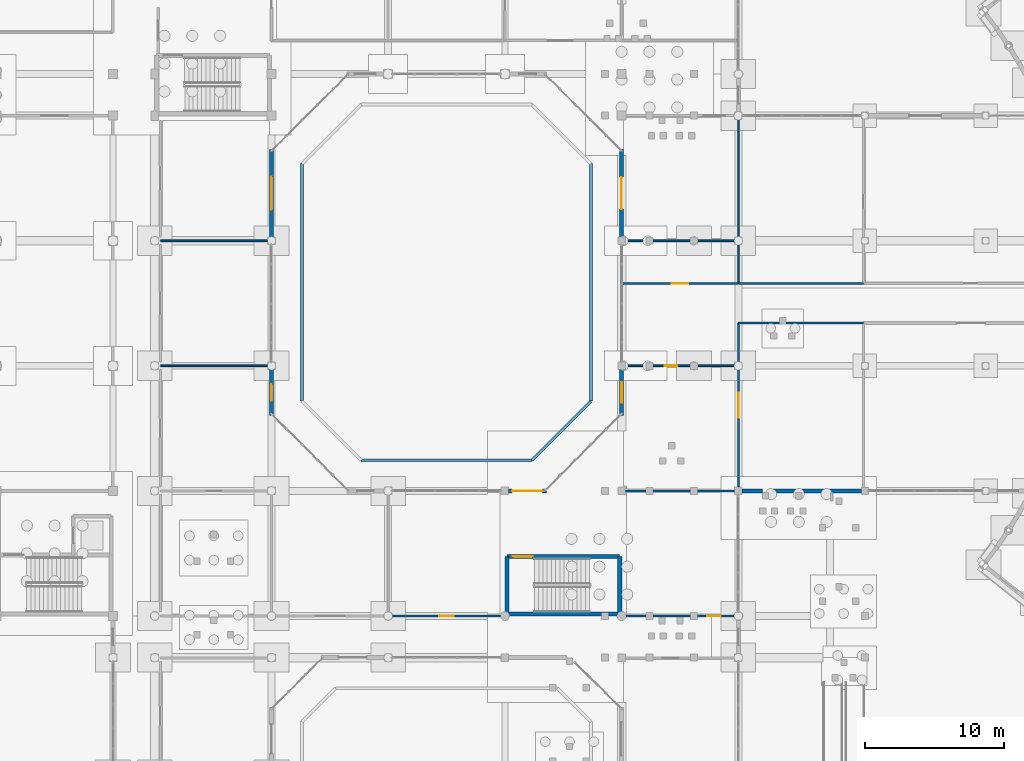
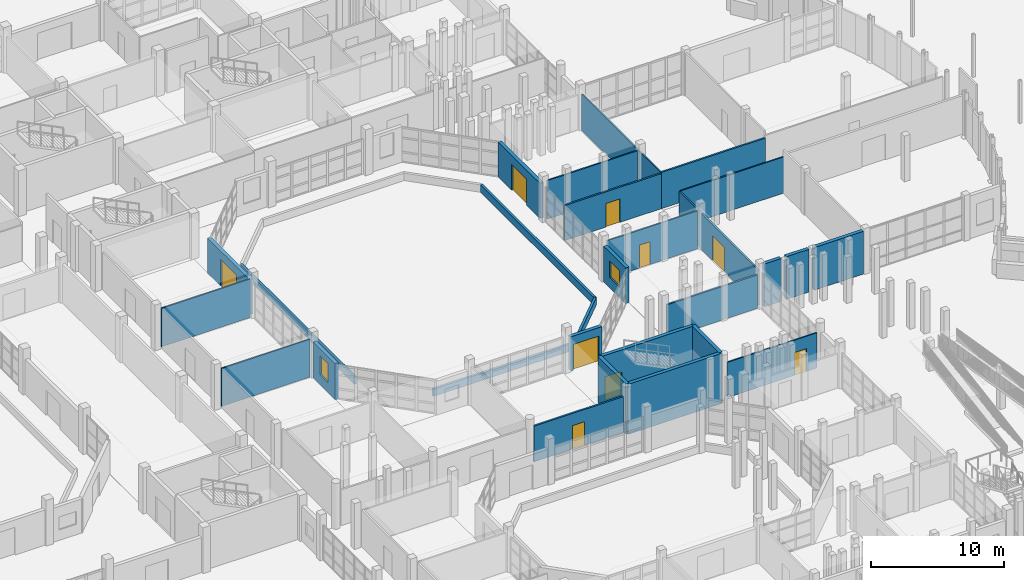
# One storey, part 60 of 88: 28 walls, 9 doors, 2 windows, 11 openings.
"""IFC4 building model written with IfcOpenShell, lengths in metres."""

from ifc_helpers import new_model, si_unit, direction, frame, frame_2d, origin, place, context, subcontext, project, spatial, rectangle, extrude, material, layer, layer_set, type_object, element, fill, save


model = new_model("IFC4")

# Units and contexts
model_context = context("Model", 3, precision=1e-05, world=origin(), true_north=direction((0.0, 1.0)))
body_context = subcontext(model_context, "Body", "Model", "MODEL_VIEW")
ifc_project = project(units=[si_unit("LENGTHUNIT", "METRE"), si_unit("AREAUNIT", "SQUARE_METRE"), si_unit("VOLUMEUNIT", "CUBIC_METRE"), si_unit("PLANEANGLEUNIT", "RADIAN"), si_unit("MASSUNIT", "GRAM", prefix="KILO")], contexts=[model_context])

# Site, building, storey
site_placement = place(None, origin())
site = spatial("IfcSite", under=ifc_project, at=site_placement, CompositionType="ELEMENT")
building_placement = place(site_placement, origin())
building = spatial("IfcBuilding", under=site, at=building_placement, Name="Vanh Quang Courtyard School", CompositionType="ELEMENT")
storey_placement = place(building_placement, origin())
storey = spatial("IfcBuildingStorey", under=building, at=storey_placement, Name="L00", CompositionType="ELEMENT", Elevation=0.0)

# Walls
ifc_material_1 = material(Name="Concrete C35/45", Category="concrete")
ifc_layer_1 = layer(ifc_material_1, 0.300048828125)
ifc_layer_set_1 = layer_set([ifc_layer_1], Name="Concrete C35/45")
wall_type_1 = type_object("IfcWallType", Name="W-CORE-300", PredefinedType="SHEAR", material=ifc_layer_set_1)
wall_1_placement = place(storey_placement, frame((102.739990234375, 32.5400390625, -0.39990234375), z_axis=(0.0, 0.0, 1.0), x_axis=(1.0, 0.0, 0.0)))
element("IfcWall", 1, at=wall_1_placement, inside=storey, type_object=wall_type_1, Name="Wall W-CORE1 (L00)", PredefinedType="SHEAR", context=body_context, shape_type="SweptSolid", body=[
    extrude(rectangle(XDim=8.1201171875, YDim=0.300048828125, at=frame_2d((4.06005859375, 0.0))), origin(), (0.0, 0.0, 1.0), 4.599853515625),
])
wall_2_placement = place(storey_placement, frame((110.860107421875, 32.5400390625, -0.39990234375), z_axis=(0.0, 0.0, 1.0), x_axis=(0.0, 1.0, 0.0)))
element("IfcWall", 2, at=wall_2_placement, inside=storey, type_object=wall_type_1, Name="Wall W-CORE1 (L00)", PredefinedType="SHEAR", context=body_context, shape_type="SweptSolid", body=[
    extrude(rectangle(XDim=4.139892578125, YDim=0.300048828125, at=frame_2d((2.06982421875, 0.0))), origin(), (0.0, 0.0, 1.0), 4.599853515625),
])

# Wall, opening, door
wall_3_placement = place(storey_placement, frame((110.860107421875, 36.679931640625, -0.39990234375), z_axis=(0.0, 0.0, 1.0), x_axis=(-1.0, 0.0, 0.0)))
wall_3 = element("IfcWall", 3, at=wall_3_placement, inside=storey, type_object=wall_type_1, Name="Wall W-CORE1 (L00)", PredefinedType="SHEAR", context=body_context, shape_type="SweptSolid", body=[
    extrude(rectangle(XDim=8.1201171875, YDim=0.300048828125, at=frame_2d((4.06005859375, 0.0))), origin(), (0.0, 0.0, 1.0), 4.599853515625),
])
opening_1_placement = place(wall_3_placement, frame((6.27001953125, 0.0, 0.39990234375)))
opening_1 = element("IfcOpeningElement", 4, at=opening_1_placement, cuts=wall_3, Name="Opening L00-DS8", PredefinedType="OPENING", context=body_context, shape_type="SweptSolid", body=[
    extrude(rectangle(XDim=1.419921875, YDim=2.14990234375, at=frame_2d((0.7099609375, 1.074951171875))), frame((0.0, 0.16015625, 0.0), z_axis=(0.0, -1.0, 0.0), x_axis=(1.0, 0.0, 0.0)), (0.0, 0.0, 1.0), 0.320068359375),
])
ifc_material_2 = material(Name="Painted galvanised steel fire door", Category="steel")
door_type_1 = type_object("IfcDoorType", Name="IDR-ST-1420x2150", OperationType="NOTDEFINED", PredefinedType="DOOR", material=ifc_material_2)
door_1_placement = place(opening_1_placement, origin())
door_1 = element("IfcDoor", 5, at=door_1_placement, inside=storey, type_object=door_type_1, Name="Door L00-DS8 (L00)", OperationType="SINGLE_SWING_LEFT", OverallHeight=2.14990234375, OverallWidth=1.419921875, PredefinedType="DOOR", context=body_context, shape_type="SweptSolid", body=[
    extrude(rectangle(XDim=1.419921875, YDim=2.14990234375, at=frame_2d((0.7099609375, 1.074951171875))), frame((0.0, 0.02490234375, 0.0), z_axis=(0.0, -1.0, 0.0), x_axis=(1.0, 0.0, 0.0)), (0.0, 0.0, 1.0), 0.050048828125),
])
fill(opening_1, door_1)

# Walls
wall_4_placement = place(storey_placement, frame((102.739990234375, 36.679931640625, -0.39990234375), z_axis=(0.0, 0.0, 1.0), x_axis=(0.0, -1.0, 0.0)))
element("IfcWall", 6, at=wall_4_placement, inside=storey, type_object=wall_type_1, Name="Wall W-CORE1 (L00)", PredefinedType="SHEAR", context=body_context, shape_type="SweptSolid", body=[
    extrude(rectangle(XDim=4.139892578125, YDim=0.300048828125, at=frame_2d((2.06982421875, 0.0))), origin(), (0.0, 0.0, 1.0), 4.599853515625),
])
ifc_layer_2 = layer(ifc_material_1, 0.300048828125)
ifc_layer_set_2 = layer_set([ifc_layer_2], Name="Concrete C35/45")
wall_type_2 = type_object("IfcWallType", Name="W-EXT-300", PredefinedType="SOLIDWALL", material=ifc_layer_set_2)
wall_5_placement = place(storey_placement, frame((128.251953125, 41.39990234375, 0.0), z_axis=(0.0, 0.0, 1.0), x_axis=(-1.0, 0.0, 0.0)))
element("IfcWall", 7, at=wall_5_placement, inside=storey, type_object=wall_type_2, Name="Wall WE-01 (L00)", PredefinedType="SOLIDWALL", context=body_context, shape_type="SweptSolid", body=[
    extrude(rectangle(XDim=4.279052734375, YDim=0.300048828125, at=frame_2d((2.1396484375, 0.0))), origin(), (0.0, 0.0, 1.0), 3.919921875),
])
wall_6_placement = place(storey_placement, frame((123.527099609375, 41.39990234375, 0.0), z_axis=(0.0, 0.0, 1.0), x_axis=(-1.0, 0.0, 0.0)))
element("IfcWall", 8, at=wall_6_placement, inside=storey, type_object=wall_type_2, Name="Wall WE-01 (L00)", PredefinedType="SOLIDWALL", context=body_context, shape_type="SweptSolid", body=[
    extrude(rectangle(XDim=1.9541015625, YDim=0.300048828125, at=frame_2d((0.97705078125, 0.0))), origin(), (0.0, 0.0, 1.0), 3.919921875),
])
wall_7_placement = place(storey_placement, frame((121.126953125, 41.39990234375, 0.0), z_axis=(0.0, 0.0, 1.0), x_axis=(-1.0, 0.0, 0.0)))
element("IfcWall", 9, at=wall_7_placement, inside=storey, type_object=wall_type_2, Name="Wall WE-01 (L00)", PredefinedType="SOLIDWALL", context=body_context, shape_type="SweptSolid", body=[
    extrude(rectangle(XDim=1.453857421875, YDim=0.300048828125, at=frame_2d((0.72705078125, 0.0))), origin(), (0.0, 0.0, 1.0), 3.919921875),
])

# Wall, opening, door
wall_8_placement = place(storey_placement, frame((102.873046875, 41.39990234375, 0.0), z_axis=(0.0, 0.0, 1.0), x_axis=(1.0, 0.0, 0.0)))
wall_8 = element("IfcWall", 10, at=wall_8_placement, inside=storey, type_object=wall_type_2, Name="Wall WE-01 (L00)", PredefinedType="SOLIDWALL", context=body_context, shape_type="SweptSolid", body=[
    extrude(rectangle(XDim=2.702880859375, YDim=0.300048828125, at=frame_2d((1.3515625, 0.0))), origin(), (0.0, 0.0, 1.0), 3.1201171875),
])
opening_2_placement = place(wall_8_placement, frame((0.2470703125, 0.0, 0.0)))
opening_2 = element("IfcOpeningElement", 11, at=opening_2_placement, cuts=wall_8, Name="Opening L00-EXD8", PredefinedType="OPENING", context=body_context, shape_type="SweptSolid", body=[
    extrude(rectangle(XDim=2.199951171875, YDim=2.35009765625, at=frame_2d((1.10009765625, 1.175048828125))), frame((0.0, 0.16015625, 0.0), z_axis=(0.0, -1.0, 0.0), x_axis=(1.0, 0.0, 0.0)), (0.0, 0.0, 1.0), 0.320068359375),
])
ifc_material_3 = material(Name="Thermally broken aluminium and laminated safety glass", Category="aluminium")
door_type_2 = type_object("IfcDoorType", Name="EDR-TYP-12", OperationType="NOTDEFINED", PredefinedType="DOOR", material=ifc_material_3)
door_2_placement = place(opening_2_placement, origin())
door_2 = element("IfcDoor", 12, at=door_2_placement, inside=storey, type_object=door_type_2, Name="Door L00-EXD8 (L00)", OperationType="SINGLE_SWING_RIGHT", OverallHeight=2.35009765625, OverallWidth=2.199951171875, PredefinedType="DOOR", context=body_context, shape_type="SweptSolid", body=[
    extrude(rectangle(XDim=2.199951171875, YDim=2.35009765625, at=frame_2d((1.10009765625, 1.175048828125))), frame((0.0, 0.02490234375, 0.0), z_axis=(0.0, -1.0, 0.0), x_axis=(1.0, 0.0, 0.0)), (0.0, 0.0, 1.0), 0.050048828125),
])
fill(opening_2, door_2)

# Wall, opening, window
wall_9_placement = place(storey_placement, frame((111.0, 46.823974609375, 0.0), z_axis=(0.0, 0.0, 1.0), x_axis=(0.0, 1.0, 0.0)))
wall_9 = element("IfcWall", 13, at=wall_9_placement, inside=storey, type_object=wall_type_2, Name="Wall WE-01 (L00)", PredefinedType="SOLIDWALL", context=body_context, shape_type="SweptSolid", body=[
    extrude(rectangle(XDim=3.302978515625, YDim=0.300048828125, at=frame_2d((1.6513671875, 0.0))), origin(), (0.0, 0.0, 1.0), 3.27001953125),
])
opening_3_placement = place(wall_9_placement, frame((0.901611328125, 0.0, 0.949951171875)))
opening_3 = element("IfcOpeningElement", 14, at=opening_3_placement, cuts=wall_9, Name="Opening WN-11", PredefinedType="OPENING", context=body_context, shape_type="SweptSolid", body=[
    extrude(rectangle(XDim=1.5, YDim=1.5, at=frame_2d((0.75, 0.75))), frame((0.0, 0.16015625, 0.0), z_axis=(0.0, -1.0, 0.0), x_axis=(1.0, 0.0, 0.0)), (0.0, 0.0, 1.0), 0.320068359375),
])
ifc_material_4 = material(Name="Anodised aluminium and low-E double glazing", Category="aluminium")
window_type_1 = type_object("IfcWindowType", Name="WIN-TYP-11", PartitioningType="SINGLE_PANEL", PredefinedType="WINDOW", material=ifc_material_4)
window_1_placement = place(opening_3_placement, origin())
window_1 = element("IfcWindow", 15, at=window_1_placement, inside=storey, type_object=window_type_1, Name="Window WN-11 (L00)", OverallHeight=1.5, OverallWidth=1.5, PartitioningType="SINGLE_PANEL", PredefinedType="WINDOW", context=body_context, shape_type="SweptSolid", body=[
    extrude(rectangle(XDim=1.5, YDim=1.5, at=frame_2d((0.75, 0.75))), frame((0.0, 0.030029296875, 0.0), z_axis=(0.0, -1.0, 0.0), x_axis=(1.0, 0.0, 0.0)), (0.0, 0.0, 1.0), 0.06005859375),
])
fill(opening_3, window_1)

# Wall, opening, door
wall_10_placement = place(storey_placement, frame((111.0, 59.673095703125, 0.0), z_axis=(0.0, 0.0, 1.0), x_axis=(0.0, 1.0, 0.0)))
wall_10 = element("IfcWall", 16, at=wall_10_placement, inside=storey, type_object=wall_type_2, Name="Wall WE-01 (L00)", PredefinedType="SOLIDWALL", context=body_context, shape_type="SweptSolid", body=[
    extrude(rectangle(XDim=6.302978515625, YDim=0.300048828125, at=frame_2d((3.1513671875, 0.0))), origin(), (0.0, 0.0, 1.0), 3.219970703125),
])
opening_4_placement = place(wall_10_placement, frame((2.00146484375, 0.0, 0.0)))
opening_4 = element("IfcOpeningElement", 17, at=opening_4_placement, cuts=wall_10, Name="Opening L00-EX42", PredefinedType="OPENING", context=body_context, shape_type="SweptSolid", body=[
    extrude(rectangle(XDim=2.300048828125, YDim=2.39990234375, at=frame_2d((1.14990234375, 1.199951171875))), frame((0.0, 0.16015625, 0.0), z_axis=(0.0, -1.0, 0.0), x_axis=(1.0, 0.0, 0.0)), (0.0, 0.0, 1.0), 0.320068359375),
])
door_type_3 = type_object("IfcDoorType", Name="EDR-TYP-13", OperationType="NOTDEFINED", PredefinedType="DOOR", material=ifc_material_3)
door_3_placement = place(opening_4_placement, origin())
door_3 = element("IfcDoor", 18, at=door_3_placement, inside=storey, type_object=door_type_3, Name="Door L00-EX42 (L00)", OperationType="DOUBLE_DOOR_SINGLE_SWING", OverallHeight=2.39990234375, OverallWidth=2.300048828125, PredefinedType="DOOR", context=body_context, shape_type="SweptSolid", body=[
    extrude(rectangle(XDim=2.300048828125, YDim=2.39990234375, at=frame_2d((1.14990234375, 1.199951171875))), frame((0.0, 0.02490234375, 0.0), z_axis=(0.0, -1.0, 0.0), x_axis=(1.0, 0.0, 0.0)), (0.0, 0.0, 1.0), 0.050048828125),
])
fill(opening_4, door_3)

wall_11_placement = place(storey_placement, frame((85.800048828125, 65.97607421875, 0.0), z_axis=(0.0, 0.0, 1.0), x_axis=(0.0, -1.0, 0.0)))
wall_11 = element("IfcWall", 19, at=wall_11_placement, inside=storey, type_object=wall_type_2, Name="Wall WE-01 (L00)", PredefinedType="SOLIDWALL", context=body_context, shape_type="SweptSolid", body=[
    extrude(rectangle(XDim=6.302978515625, YDim=0.300048828125, at=frame_2d((3.1513671875, 0.0))), origin(), (0.0, 0.0, 1.0), 3.219970703125),
])
opening_5_placement = place(wall_11_placement, frame((1.951416015625, 0.0, 0.0)))
opening_5 = element("IfcOpeningElement", 20, at=opening_5_placement, cuts=wall_11, Name="Opening L00-EX43", PredefinedType="OPENING", context=body_context, shape_type="SweptSolid", body=[
    extrude(rectangle(XDim=2.39990234375, YDim=2.449951171875, at=frame_2d((1.199951171875, 1.22509765625))), frame((0.0, 0.16015625, 0.0), z_axis=(0.0, -1.0, 0.0), x_axis=(1.0, 0.0, 0.0)), (0.0, 0.0, 1.0), 0.320068359375),
])
door_type_4 = type_object("IfcDoorType", Name="EDR-TYP-14", OperationType="NOTDEFINED", PredefinedType="DOOR", material=ifc_material_3)
door_4_placement = place(opening_5_placement, origin())
door_4 = element("IfcDoor", 21, at=door_4_placement, inside=storey, type_object=door_type_4, Name="Door L00-EX43 (L00)", OperationType="DOUBLE_DOOR_SINGLE_SWING", OverallHeight=2.449951171875, OverallWidth=2.39990234375, PredefinedType="DOOR", context=body_context, shape_type="SweptSolid", body=[
    extrude(rectangle(XDim=2.39990234375, YDim=2.449951171875, at=frame_2d((1.199951171875, 1.22509765625))), frame((0.0, 0.02490234375, 0.0), z_axis=(0.0, -1.0, 0.0), x_axis=(1.0, 0.0, 0.0)), (0.0, 0.0, 1.0), 0.050048828125),
])
fill(opening_5, door_4)

# Wall, opening, window
wall_12_placement = place(storey_placement, frame((85.800048828125, 50.126953125, 0.0), z_axis=(0.0, 0.0, 1.0), x_axis=(0.0, -1.0, 0.0)))
wall_12 = element("IfcWall", 22, at=wall_12_placement, inside=storey, type_object=wall_type_2, Name="Wall WE-01 (L00)", PredefinedType="SOLIDWALL", context=body_context, shape_type="SweptSolid", body=[
    extrude(rectangle(XDim=3.302978515625, YDim=0.300048828125, at=frame_2d((1.6513671875, 0.0))), origin(), (0.0, 0.0, 1.0), 3.320068359375),
])
opening_6_placement = place(wall_12_placement, frame((1.051513671875, 0.0, 0.949951171875)))
opening_6 = element("IfcOpeningElement", 23, at=opening_6_placement, cuts=wall_12, Name="Opening WN-19", PredefinedType="OPENING", context=body_context, shape_type="SweptSolid", body=[
    extrude(rectangle(XDim=1.199951171875, YDim=1.75, at=frame_2d((0.60009765625, 0.875))), frame((0.0, 0.16015625, 0.0), z_axis=(0.0, -1.0, 0.0), x_axis=(1.0, 0.0, 0.0)), (0.0, 0.0, 1.0), 0.320068359375),
])
window_type_2 = type_object("IfcWindowType", Name="WIN-TYP-19", PartitioningType="SINGLE_PANEL", PredefinedType="WINDOW", material=ifc_material_4)
window_2_placement = place(opening_6_placement, origin())
window_2 = element("IfcWindow", 24, at=window_2_placement, inside=storey, type_object=window_type_2, Name="Window WN-19 (L00)", OverallHeight=1.75, OverallWidth=1.199951171875, PartitioningType="SINGLE_PANEL", PredefinedType="WINDOW", context=body_context, shape_type="SweptSolid", body=[
    extrude(rectangle(XDim=1.199951171875, YDim=1.75, at=frame_2d((0.60009765625, 0.875))), frame((0.0, 0.030029296875, 0.0), z_axis=(0.0, -1.0, 0.0), x_axis=(1.0, 0.0, 0.0)), (0.0, 0.0, 1.0), 0.06005859375),
])
fill(opening_6, window_2)

# Walls
ifc_layer_3 = layer(ifc_material_1, 0.199951171875)
ifc_layer_set_3 = layer_set([ifc_layer_3], Name="Concrete C35/45")
wall_type_3 = type_object("IfcWallType", Name="W-PAR-200", PredefinedType="PARAPET", material=ifc_layer_set_3)
for number, where, z_axis, x_axis, name in (
    (25, (88.0, 47.855224609375, 0.0), (0.0, 0.0, 1.0), (0.0, 1.0, 0.0), "Wall WP-01 (L00)"),
    (26, (108.800048828125, 64.944580078125, 0.0), (0.0, 0.0, 1.0), (0.0, -1.0, 0.0), "Wall WP-01 (L00)"),
):
    element("IfcWall", number, at=place(storey_placement, frame(where, z_axis=z_axis, x_axis=x_axis)), inside=storey, type_object=wall_type_3, Name=name, PredefinedType="PARAPET", context=body_context, shape_type="SweptSolid", body=[
        extrude(rectangle(XDim=17.08935546875, YDim=0.199951171875, at=frame_2d((8.544677734375, 0.0))), origin(), (0.0, 0.0, 1.0), 0.679931640625),
    ])
wall_13_placement = place(storey_placement, frame((108.800048828125, 47.855224609375, 0.0), z_axis=(0.0, 0.0, 1.0), x_axis=(-0.707127065665, -0.707086496126, 0.0)))
element("IfcWall", 27, at=wall_13_placement, inside=storey, type_object=wall_type_3, Name="Wall WP-01 (L00)", PredefinedType="PARAPET", context=body_context, shape_type="SweptSolid", body=[
    extrude(rectangle(XDim=6.017822265625, YDim=0.199951171875, at=frame_2d((3.0087890625, 0.0))), origin(), (0.0, 0.0, 1.0), 0.679931640625),
])
wall_14_placement = place(storey_placement, frame((104.544677734375, 43.60009765625, 0.0), z_axis=(0.0, 0.0, 1.0), x_axis=(-1.0, 0.0, 0.0)))
element("IfcWall", 28, at=wall_14_placement, inside=storey, type_object=wall_type_3, Name="Wall WP-01 (L00)", PredefinedType="PARAPET", context=body_context, shape_type="SweptSolid", body=[
    extrude(rectangle(XDim=12.289306640625, YDim=0.199951171875, at=frame_2d((6.14453125, 0.0))), origin(), (0.0, 0.0, 1.0), 0.679931640625),
])
ifc_material_5 = material(Name="Acoustic gypsum stud partition", Category="gypsum")
ifc_layer_4 = layer(ifc_material_5, 0.1201171875)
ifc_layer_set_4 = layer_set([ifc_layer_4], Name="Acoustic gypsum stud partition")
wall_type_4 = type_object("IfcWallType", Name="W-PART-120", PredefinedType="PARTITIONING", material=ifc_layer_set_4)
wall_15_placement = place(storey_placement, frame((119.39990234375, 53.47998046875, 0.0), z_axis=(0.0, 0.0, 1.0), x_axis=(1.0, 0.0, 0.0)))
element("IfcWall", 29, at=wall_15_placement, inside=storey, type_object=wall_type_4, Name="Wall W-PRT2 (L00)", PredefinedType="PARTITIONING", context=body_context, shape_type="SweptSolid", body=[
    extrude(rectangle(XDim=9.0, YDim=0.1201171875, at=frame_2d((4.5, 0.0))), origin(), (0.0, 0.0, 1.0), 3.320068359375),
])
wall_16_placement = place(storey_placement, frame((119.39990234375, 56.320068359375, 0.0), z_axis=(0.0, 0.0, 1.0), x_axis=(0.0, 1.0, 0.0)))
element("IfcWall", 30, at=wall_16_placement, inside=storey, type_object=wall_type_4, Name="Wall W-PRT2 (L00)", PredefinedType="PARTITIONING", context=body_context, shape_type="SweptSolid", body=[
    extrude(rectangle(XDim=11.806884765625, YDim=0.1201171875, at=frame_2d((5.9033203125, 0.0))), origin(), (0.0, 0.0, 1.0), 3.320068359375),
])
wall_17_placement = place(storey_placement, frame((77.820068359375, 50.39990234375, 0.0), z_axis=(0.0, 0.0, 1.0), x_axis=(1.0, 0.0, 0.0)))
element("IfcWall", 31, at=wall_17_placement, inside=storey, type_object=wall_type_4, Name="Wall W-PRT2 (L00)", PredefinedType="PARTITIONING", context=body_context, shape_type="SweptSolid", body=[
    extrude(rectangle(XDim=7.70703125, YDim=0.1201171875, at=frame_2d((3.853515625, 0.0))), origin(), (0.0, 0.0, 1.0), 3.469970703125),
])
wall_18_placement = place(storey_placement, frame((77.820068359375, 59.39990234375, 0.0), z_axis=(0.0, 0.0, 1.0), x_axis=(1.0, 0.0, 0.0)))
element("IfcWall", 32, at=wall_18_placement, inside=storey, type_object=wall_type_4, Name="Wall W-PRT2 (L00)", PredefinedType="PARTITIONING", context=body_context, shape_type="SweptSolid", body=[
    extrude(rectangle(XDim=7.70703125, YDim=0.1201171875, at=frame_2d((3.853515625, 0.0))), origin(), (0.0, 0.0, 1.0), 3.530029296875),
])

# Wall, opening, door
wall_19_placement = place(storey_placement, frame((119.076904296875, 32.39990234375, 0.0), z_axis=(0.0, 0.0, 1.0), x_axis=(-1.0, 0.0, 0.0)))
wall_19 = element("IfcWall", 33, at=wall_19_placement, inside=storey, type_object=wall_type_4, Name="Wall W-PRT2 (L00)", PredefinedType="PARTITIONING", context=body_context, shape_type="SweptSolid", body=[
    extrude(rectangle(XDim=7.75390625, YDim=0.1201171875, at=frame_2d((3.876953125, 0.0))), origin(), (0.0, 0.0, 1.0), 3.22998046875),
])
opening_7_placement = place(wall_19_placement, frame((0.927001953125, 0.0, 0.0)))
opening_7 = element("IfcOpeningElement", 34, at=opening_7_placement, cuts=wall_19, Name="Opening L00-D042", PredefinedType="OPENING", context=body_context, shape_type="SweptSolid", body=[
    extrude(rectangle(XDim=1.0, YDim=2.10009765625, at=frame_2d((0.5, 1.050048828125))), frame((0.0, 0.070068359375, 0.0), z_axis=(0.0, -1.0, 0.0), x_axis=(1.0, 0.0, 0.0)), (0.0, 0.0, 1.0), 0.14013671875),
])
ifc_material_6 = material(Name="Solid-core hardwood acoustic door", Category="wood")
door_type_5 = type_object("IfcDoorType", Name="IDR-CLS-1000x2100", OperationType="NOTDEFINED", PredefinedType="DOOR", material=ifc_material_6)
door_5_placement = place(opening_7_placement, origin())
door_5 = element("IfcDoor", 35, at=door_5_placement, inside=storey, type_object=door_type_5, Name="Door L00-D042 (L00)", OperationType="SINGLE_SWING_LEFT", OverallHeight=2.10009765625, OverallWidth=1.0, PredefinedType="DOOR", context=body_context, shape_type="SweptSolid", body=[
    extrude(rectangle(XDim=1.0, YDim=2.10009765625, at=frame_2d((0.5, 1.050048828125))), frame((0.0, 0.02490234375, 0.0), z_axis=(0.0, -1.0, 0.0), x_axis=(1.0, 0.0, 0.0)), (0.0, 0.0, 1.0), 0.050048828125),
])
fill(opening_7, door_5)

wall_20_placement = place(storey_placement, frame((111.27294921875, 50.39990234375, 0.0), z_axis=(0.0, 0.0, 1.0), x_axis=(1.0, 0.0, 0.0)))
wall_20 = element("IfcWall", 36, at=wall_20_placement, inside=storey, type_object=wall_type_4, Name="Wall W-PRT2 (L00)", PredefinedType="PARTITIONING", context=body_context, shape_type="SweptSolid", body=[
    extrude(rectangle(XDim=7.85400390625, YDim=0.1201171875, at=frame_2d((3.927001953125, 0.0))), origin(), (0.0, 0.0, 1.0), 3.469970703125),
])
opening_8_placement = place(wall_20_placement, frame((2.81689453125, 0.0, 0.0)))
opening_8 = element("IfcOpeningElement", 37, at=opening_8_placement, cuts=wall_20, Name="Opening L00-D043", PredefinedType="OPENING", context=body_context, shape_type="SweptSolid", body=[
    extrude(rectangle(XDim=0.919921875, YDim=2.10009765625, at=frame_2d((0.4599609375, 1.050048828125))), frame((0.0, 0.070068359375, 0.0), z_axis=(0.0, -1.0, 0.0), x_axis=(1.0, 0.0, 0.0)), (0.0, 0.0, 1.0), 0.14013671875),
])
door_type_6 = type_object("IfcDoorType", Name="IDR-STF-0920x2100", OperationType="NOTDEFINED", PredefinedType="DOOR", material=ifc_material_6)
door_6_placement = place(opening_8_placement, origin())
door_6 = element("IfcDoor", 38, at=door_6_placement, inside=storey, type_object=door_type_6, Name="Door L00-D043 (L00)", OperationType="SINGLE_SWING_RIGHT", OverallHeight=2.10009765625, OverallWidth=0.919921875, PredefinedType="DOOR", context=body_context, shape_type="SweptSolid", body=[
    extrude(rectangle(XDim=0.919921875, YDim=2.10009765625, at=frame_2d((0.4599609375, 1.050048828125))), frame((0.0, 0.02490234375, 0.0), z_axis=(0.0, -1.0, 0.0), x_axis=(1.0, 0.0, 0.0)), (0.0, 0.0, 1.0), 0.050048828125),
])
fill(opening_8, door_6)

# Wall
wall_21_placement = place(storey_placement, frame((111.27294921875, 59.39990234375, 0.0), z_axis=(0.0, 0.0, 1.0), x_axis=(1.0, 0.0, 0.0)))
element("IfcWall", 39, at=wall_21_placement, inside=storey, type_object=wall_type_4, Name="Wall W-PRT2 (L00)", PredefinedType="PARTITIONING", context=body_context, shape_type="SweptSolid", body=[
    extrude(rectangle(XDim=7.85400390625, YDim=0.1201171875, at=frame_2d((3.927001953125, 0.0))), origin(), (0.0, 0.0, 1.0), 3.530029296875),
])

# Wall, opening, door
ifc_material_7 = material(Name="Autoclaved aerated masonry blockwork", Category="masonry")
ifc_layer_5 = layer(ifc_material_7, 0.14990234375)
ifc_layer_set_5 = layer_set([ifc_layer_5], Name="Autoclaved aerated masonry blockwork")
wall_type_5 = type_object("IfcWallType", Name="W-PART-150", PredefinedType="PARTITIONING", material=ifc_layer_set_5)
wall_22_placement = place(storey_placement, frame((119.39990234375, 41.673095703125, 0.0), z_axis=(0.0, 0.0, 1.0), x_axis=(0.0, 1.0, 0.0)))
wall_22 = element("IfcWall", 40, at=wall_22_placement, inside=storey, type_object=wall_type_5, Name="Wall W-PRT1 (L00)", PredefinedType="PARTITIONING", context=body_context, shape_type="SweptSolid", body=[
    extrude(rectangle(XDim=11.806884765625, YDim=0.14990234375, at=frame_2d((5.9033203125, 0.0))), origin(), (0.0, 0.0, 1.0), 3.280029296875),
])
opening_9_placement = place(wall_22_placement, frame((5.00341796875, 0.0, 0.0)))
opening_9 = element("IfcOpeningElement", 41, at=opening_9_placement, cuts=wall_22, Name="Opening L00-D007", PredefinedType="OPENING", context=body_context, shape_type="SweptSolid", body=[
    extrude(rectangle(XDim=1.800048828125, YDim=2.25, at=frame_2d((0.89990234375, 1.125))), frame((0.0, 0.0849609375, 0.0), z_axis=(0.0, -1.0, 0.0), x_axis=(1.0, 0.0, 0.0)), (0.0, 0.0, 1.0), 0.169921875),
])
door_type_7 = type_object("IfcDoorType", Name="IDR-FD-1800x2250", OperationType="NOTDEFINED", PredefinedType="DOOR", material=ifc_material_2)
door_7_placement = place(opening_9_placement, origin())
door_7 = element("IfcDoor", 42, at=door_7_placement, inside=storey, type_object=door_type_7, Name="Door L00-D007 (L00)", OperationType="DOUBLE_DOOR_SINGLE_SWING", OverallHeight=2.25, OverallWidth=1.800048828125, PredefinedType="DOOR", context=body_context, shape_type="SweptSolid", body=[
    extrude(rectangle(XDim=1.800048828125, YDim=2.25, at=frame_2d((0.89990234375, 1.125))), frame((0.0, 0.02490234375, 0.0), z_axis=(0.0, -1.0, 0.0), x_axis=(1.0, 0.0, 0.0)), (0.0, 0.0, 1.0), 0.050048828125),
])
fill(opening_9, door_7)

# Wall
wall_23_placement = place(storey_placement, frame((128.39990234375, 56.320068359375, 0.0), z_axis=(0.0, 0.0, 1.0), x_axis=(-1.0, 0.0, 0.0)))
element("IfcWall", 43, at=wall_23_placement, inside=storey, type_object=wall_type_5, Name="Wall W-PRT1 (L00)", PredefinedType="PARTITIONING", context=body_context, shape_type="SweptSolid", body=[
    extrude(rectangle(XDim=9.0, YDim=0.14990234375, at=frame_2d((4.5, 0.0))), origin(), (0.0, 0.0, 1.0), 3.320068359375),
])

# Wall, opening, door
wall_24_placement = place(storey_placement, frame((102.277099609375, 32.39990234375, 0.0), z_axis=(0.0, 0.0, 1.0), x_axis=(-1.0, 0.0, 0.0)))
wall_24 = element("IfcWall", 44, at=wall_24_placement, inside=storey, type_object=wall_type_5, Name="Wall W-PRT1 (L00)", PredefinedType="PARTITIONING", context=body_context, shape_type="SweptSolid", body=[
    extrude(rectangle(XDim=7.754150390625, YDim=0.14990234375, at=frame_2d((3.876953125, 0.0))), origin(), (0.0, 0.0, 1.0), 3.27001953125),
])
opening_10_placement = place(wall_24_placement, frame((3.35205078125, 0.0, 0.0)))
opening_10 = element("IfcOpeningElement", 45, at=opening_10_placement, cuts=wall_24, Name="Opening L00-D033", PredefinedType="OPENING", context=body_context, shape_type="SweptSolid", body=[
    extrude(rectangle(XDim=1.050048828125, YDim=2.14990234375, at=frame_2d((0.52490234375, 1.074951171875))), frame((0.0, 0.0849609375, 0.0), z_axis=(0.0, -1.0, 0.0), x_axis=(1.0, 0.0, 0.0)), (0.0, 0.0, 1.0), 0.169921875),
])
door_type_8 = type_object("IfcDoorType", Name="IDR-FD-1050x2150", OperationType="NOTDEFINED", PredefinedType="DOOR", material=ifc_material_2)
door_8_placement = place(opening_10_placement, origin())
door_8 = element("IfcDoor", 46, at=door_8_placement, inside=storey, type_object=door_type_8, Name="Door L00-D033 (L00)", OperationType="SINGLE_SWING_RIGHT", OverallHeight=2.14990234375, OverallWidth=1.050048828125, PredefinedType="DOOR", context=body_context, shape_type="SweptSolid", body=[
    extrude(rectangle(XDim=1.050048828125, YDim=2.14990234375, at=frame_2d((0.52490234375, 1.074951171875))), frame((0.0, 0.02490234375, 0.0), z_axis=(0.0, -1.0, 0.0), x_axis=(1.0, 0.0, 0.0)), (0.0, 0.0, 1.0), 0.050048828125),
])
fill(opening_10, door_8)

# Wall
wall_25_placement = place(storey_placement, frame((111.27294921875, 41.39990234375, 0.0), z_axis=(0.0, 0.0, 1.0), x_axis=(1.0, 0.0, 0.0)))
element("IfcWall", 47, at=wall_25_placement, inside=storey, type_object=wall_type_5, Name="Wall W-PRT1 (L00)", PredefinedType="PARTITIONING", context=body_context, shape_type="SweptSolid", body=[
    extrude(rectangle(XDim=7.85400390625, YDim=0.14990234375, at=frame_2d((3.927001953125, 0.0))), origin(), (0.0, 0.0, 1.0), 3.080078125),
])

# Wall, opening, door
wall_26_placement = place(storey_placement, frame((119.3798828125, 56.320068359375, 0.0), z_axis=(0.0, 0.0, 1.0), x_axis=(-1.0, 0.0, 0.0)))
wall_26 = element("IfcWall", 48, at=wall_26_placement, inside=storey, type_object=wall_type_5, Name="Wall W-PRT1 (L00)", PredefinedType="PARTITIONING", context=body_context, shape_type="SweptSolid", body=[
    extrude(rectangle(XDim=8.3798828125, YDim=0.14990234375, at=frame_2d((4.18994140625, 0.0))), origin(), (0.0, 0.0, 1.0), 3.219970703125),
])
opening_11_placement = place(wall_26_placement, frame((3.590087890625, 0.0, 0.0)))
opening_11 = element("IfcOpeningElement", 49, at=opening_11_placement, cuts=wall_26, Name="Opening L00-D044", PredefinedType="OPENING", context=body_context, shape_type="SweptSolid", body=[
    extrude(rectangle(XDim=1.199951171875, YDim=2.14990234375, at=frame_2d((0.60009765625, 1.074951171875))), frame((0.0, 0.0849609375, 0.0), z_axis=(0.0, -1.0, 0.0), x_axis=(1.0, 0.0, 0.0)), (0.0, 0.0, 1.0), 0.169921875),
])
door_type_9 = type_object("IfcDoorType", Name="IDR-FD-1200x2150", OperationType="NOTDEFINED", PredefinedType="DOOR", material=ifc_material_2)
door_9_placement = place(opening_11_placement, origin())
door_9 = element("IfcDoor", 50, at=door_9_placement, inside=storey, type_object=door_type_9, Name="Door L00-D044 (L00)", OperationType="SINGLE_SWING_LEFT", OverallHeight=2.14990234375, OverallWidth=1.199951171875, PredefinedType="DOOR", context=body_context, shape_type="SweptSolid", body=[
    extrude(rectangle(XDim=1.199951171875, YDim=2.14990234375, at=frame_2d((0.60009765625, 1.074951171875))), frame((0.0, 0.02490234375, 0.0), z_axis=(0.0, -1.0, 0.0), x_axis=(1.0, 0.0, 0.0)), (0.0, 0.0, 1.0), 0.050048828125),
])
fill(opening_11, door_9)

save(model, "model.ifc")
